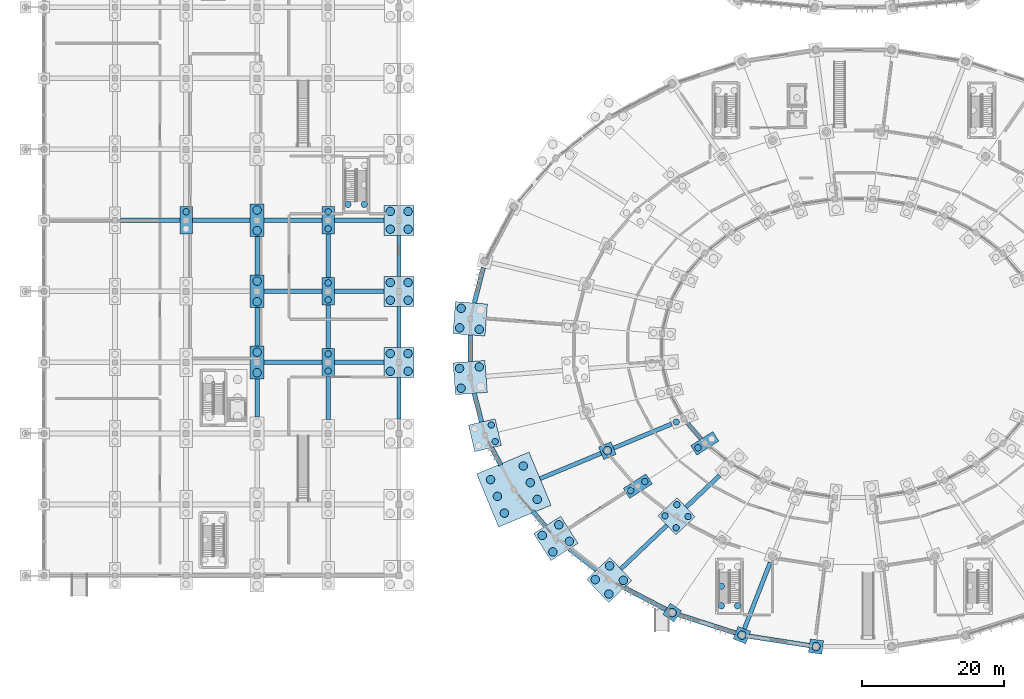
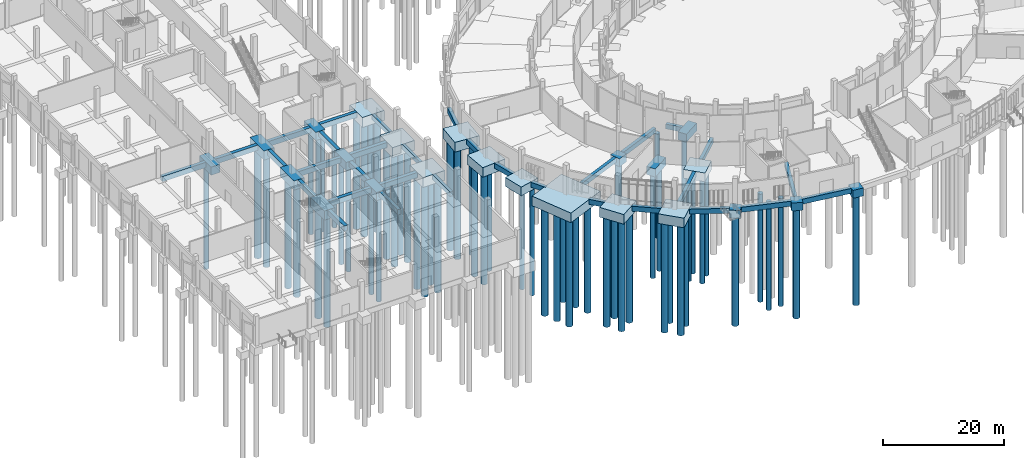
# One storey, part 2 of 140: 64 piles, 55 footings.
"""IFC4 building model written with IfcOpenShell, lengths in metres."""

from ifc_helpers import new_model, si_unit, direction, frame, origin, origin_2d, place, context, subcontext, project, spatial, rectangle, circle, extrude, material, layer, layer_set, material_profile, profile_set, type_object, element, save


model = new_model("IFC4")

# Units and contexts
model_context = context("Model", 3, precision=1e-05, world=origin(), true_north=direction((0.0, 1.0)))
body_context = subcontext(model_context, "Body", "Model", "MODEL_VIEW")
ifc_project = project(units=[si_unit("LENGTHUNIT", "METRE"), si_unit("AREAUNIT", "SQUARE_METRE"), si_unit("VOLUMEUNIT", "CUBIC_METRE"), si_unit("PLANEANGLEUNIT", "RADIAN"), si_unit("MASSUNIT", "GRAM", prefix="KILO")], contexts=[model_context])

# Site, building, storey
site_placement = place(None, origin())
site = spatial("IfcSite", under=ifc_project, at=site_placement, CompositionType="ELEMENT")
building_placement = place(site_placement, origin())
building = spatial("IfcBuilding", under=site, at=building_placement, Name="Corvandel Quay Wholesale Market", CompositionType="ELEMENT")
storey_placement = place(building_placement, origin())
storey = spatial("IfcBuildingStorey", under=building, at=storey_placement, Name="L00", CompositionType="ELEMENT", Elevation=0.0)

# Piles
ifc_material = material(Name="Concrete C40/50", Category="concrete")
ifc_material_profile_1 = material_profile(ifc_material, circle(Radius=0.60009765625, at=origin_2d()), Name="RC-PILE-D1200")
ifc_profile_set_1 = profile_set([ifc_material_profile_1], Name="Concrete C40/50")
pile_type_1 = type_object("IfcPileType", Name="Bored Pile D1200 L22.2", PredefinedType="BORED", material=ifc_profile_set_1)
for number, where, z_axis, x_axis, name in (
    (1, (61.27099609375, 44.656005859375, -1.860107421875), (0.0, 0.0, -1.0), (1.0, 0.0, 0.0), "Bored Pile PIL-0219"),
    (2, (58.51904296875, 44.865966796875, -1.860107421875), (0.0, 0.0, -1.0), (1.0, 0.0, 0.0), "Bored Pile PIL-0221"),
    (3, (58.72900390625, 47.617919921875, -1.860107421875), (0.0, 0.0, -1.0), (1.0, 0.0, 0.0), "Bored Pile PIL-0222"),
    (4, (61.2890625, 39.365966796875, -1.85009765625), (0.0, 0.0, -1.0), (1.0, 0.0, 0.0), "Bored Pile PIL-0228"),
    (5, (58.7109375, 36.360107421875, -1.85009765625), (0.0, 0.0, -1.0), (1.0, 0.0, 0.0), "Bored Pile PIL-0229"),
    (6, (58.4970703125, 39.152099609375, -1.85009765625), (0.0, 0.0, -1.0), (1.0, 0.0, 0.0), "Bored Pile PIL-0230"),
    (7, (69.43310546875, 20.7109375, -1.85009765625), (0.0, 0.0, -1.0), (1.0, 0.0, 0.0), "Bored Pile PIL-0244"),
    (8, (68.455078125, 23.06591796875, -1.85009765625), (0.0, 0.0, -1.0), (1.0, 0.0, 0.0), "Bored Pile PIL-0245"),
    (9, (67.47607421875, 25.419921875, -1.85009765625), (0.0, 0.0, -1.0), (1.0, 0.0, 0.0), "Bored Pile PIL-0246"),
    (10, (64.81591796875, 18.7919921875, -1.85009765625), (0.0, 0.0, -1.0), (1.0, 0.0, 0.0), "Bored Pile PIL-0247"),
    (11, (63.8369140625, 21.14599609375, -1.85009765625), (0.0, 0.0, -1.0), (1.0, 0.0, 0.0), "Bored Pile PIL-0248"),
    (12, (62.85888671875, 23.5009765625, -1.85009765625), (0.0, 0.0, -1.0), (1.0, 0.0, 0.0), "Bored Pile PIL-0249"),
    (13, (79.305908203125, 27.576904296875, -1.5), (0.0, 0.0, -1.0), (1.0, 0.0, 0.0), "Bored Pile PIL-0250"),
    (14, (73.9609375, 14.805908203125, -1.860107421875), (0.0, 0.0, -1.0), (1.0, 0.0, 0.0), "Bored Pile PIL-0253"),
    (15, (72.47607421875, 17.133056640625, -1.860107421875), (0.0, 0.0, -1.0), (1.0, 0.0, 0.0), "Bored Pile PIL-0254"),
    (16, (71.634033203125, 13.321044921875, -1.860107421875), (0.0, 0.0, -1.0), (1.0, 0.0, 0.0), "Bored Pile PIL-0255"),
    (17, (70.14892578125, 15.64794921875, -1.860107421875), (0.0, 0.0, -1.0), (1.0, 0.0, 0.0), "Bored Pile PIL-0256"),
    (18, (81.555908203125, 9.322998046875, -1.85009765625), (0.0, 0.0, -1.0), (1.0, 0.0, 0.0), "Bored Pile PIL-0261"),
    (19, (79.6298828125, 11.35498046875, -1.85009765625), (0.0, 0.0, -1.0), (1.0, 0.0, 0.0), "Bored Pile PIL-0262"),
    (20, (79.52392578125, 7.39697265625, -1.85009765625), (0.0, 0.0, -1.0), (1.0, 0.0, 0.0), "Bored Pile PIL-0263"),
    (21, (77.597900390625, 9.428955078125, -1.85009765625), (0.0, 0.0, -1.0), (1.0, 0.0, 0.0), "Bored Pile PIL-0264"),
    (22, (88.4208984375, 4.780029296875, -1.5), (0.0, 0.0, -1.0), (1.0, 0.0, 0.0), "Bored Pile PIL-0271"),
    (23, (98.2490234375, 1.614013671875, -1.5), (0.0, 0.0, -1.0), (1.0, 0.0, 0.0), "Bored Pile PIL-0275"),
    (24, (108.680908203125, 0.0, -1.5), (0.0, 0.0, -1.0), (1.0, 0.0, 0.0), "Bored Pile PIL-0279"),
    (25, (30.0, 38.550048828125, -1.75), (0.0, 0.0, -1.0), (1.0, 0.0, 0.0), "Bored Pile PIL-0644"),
    (26, (30.0, 41.449951171875, -1.75), (0.0, 0.0, -1.0), (1.0, 0.0, 0.0), "Bored Pile PIL-0645"),
    (27, (30.0, 48.550048828125, -1.75), (0.0, 0.0, -1.0), (1.0, 0.0, 0.0), "Bored Pile PIL-0646"),
    (28, (30.0, 51.449951171875, -1.75), (0.0, 0.0, -1.0), (1.0, 0.0, 0.0), "Bored Pile PIL-0647"),
    (29, (30.0, 58.550048828125, -1.75), (0.0, 0.0, -1.0), (1.0, 0.0, 0.0), "Bored Pile PIL-0648"),
    (30, (30.0, 61.449951171875, -1.75), (0.0, 0.0, -1.0), (1.0, 0.0, 0.0), "Bored Pile PIL-0649"),
):
    element("IfcPile", number, at=place(storey_placement, frame(where, z_axis=z_axis, x_axis=x_axis)), inside=storey, type_object=pile_type_1, Name=name, PredefinedType="BORED", context=body_context, shape_type="SweptSolid", body=[
        extrude(circle(Radius=0.60009765625, at=origin_2d()), origin(), (0.0, 0.0, 1.0), 22.199951171875),
    ])
ifc_material_profile_2 = material_profile(ifc_material, circle(Radius=0.60009765625, at=origin_2d()), Name="RC-PILE-D1200")
ifc_profile_set_2 = profile_set([ifc_material_profile_2], Name="Concrete C40/50")
pile_type_2 = type_object("IfcPileType", Name="Bored Pile D1200 L22.6", PredefinedType="BORED", material=ifc_profile_set_2)
for number, where, z_axis, x_axis, name in (
    (31, (48.75, 38.75, -1.89990234375), (0.0, 0.0, -1.0), (1.0, 0.0, 0.0), "Bored Pile PIL-0706"),
    (32, (51.25, 38.75, -1.89990234375), (0.0, 0.0, -1.0), (1.0, 0.0, 0.0), "Bored Pile PIL-0707"),
    (33, (48.75, 41.25, -1.89990234375), (0.0, 0.0, -1.0), (1.0, 0.0, 0.0), "Bored Pile PIL-0708"),
    (34, (51.25, 41.25, -1.89990234375), (0.0, 0.0, -1.0), (1.0, 0.0, 0.0), "Bored Pile PIL-0709"),
    (35, (48.75, 48.75, -1.89990234375), (0.0, 0.0, -1.0), (1.0, 0.0, 0.0), "Bored Pile PIL-0710"),
    (36, (51.25, 48.75, -1.89990234375), (0.0, 0.0, -1.0), (1.0, 0.0, 0.0), "Bored Pile PIL-0711"),
    (37, (48.75, 51.25, -1.89990234375), (0.0, 0.0, -1.0), (1.0, 0.0, 0.0), "Bored Pile PIL-0712"),
    (38, (51.25, 51.25, -1.89990234375), (0.0, 0.0, -1.0), (1.0, 0.0, 0.0), "Bored Pile PIL-0713"),
    (39, (48.75, 58.75, -1.89990234375), (0.0, 0.0, -1.0), (1.0, 0.0, 0.0), "Bored Pile PIL-0714"),
    (40, (51.25, 58.75, -1.89990234375), (0.0, 0.0, -1.0), (1.0, 0.0, 0.0), "Bored Pile PIL-0715"),
    (41, (48.75, 61.25, -1.89990234375), (0.0, 0.0, -1.0), (1.0, 0.0, 0.0), "Bored Pile PIL-0716"),
    (42, (51.25, 61.25, -1.89990234375), (0.0, 0.0, -1.0), (1.0, 0.0, 0.0), "Bored Pile PIL-0717"),
):
    element("IfcPile", number, at=place(storey_placement, frame(where, z_axis=z_axis, x_axis=x_axis)), inside=storey, type_object=pile_type_2, Name=name, PredefinedType="BORED", context=body_context, shape_type="SweptSolid", body=[
        extrude(circle(Radius=0.60009765625, at=origin_2d()), origin(), (0.0, 0.0, 1.0), 22.60009765625),
    ])
ifc_material_profile_3 = material_profile(ifc_material, circle(Radius=0.449951171875, at=origin_2d()), Name="RC-PILE-D900")
ifc_profile_set_3 = profile_set([ifc_material_profile_3], Name="Concrete C40/50")
pile_type_3 = type_object("IfcPileType", Name="Bored Pile D900 L21.0", PredefinedType="BORED", material=ifc_profile_set_3)
for number, where, z_axis, x_axis, name in (
    (43, (89.010986328125, 31.612060546875, -1.5), (0.0, 0.0, -1.0), (1.0, 0.0, 0.0), "Bored Pile PIL-0252"),
    (44, (84.5849609375, 23.22412109375, -1.52001953125), (0.0, 0.0, -1.0), (1.0, 0.0, 0.0), "Bored Pile PIL-0257"),
    (45, (82.594970703125, 21.9541015625, -1.52001953125), (0.0, 0.0, -1.0), (1.0, 0.0, 0.0), "Bored Pile PIL-0258"),
    (46, (92.05908203125, 27.993896484375, -1.5), (0.0, 0.0, -1.0), (1.0, 0.0, 0.0), "Bored Pile PIL-0260"),
    (47, (90.6689453125, 18.303955078125, -1.64990234375), (0.0, 0.0, -1.0), (1.0, 0.0, 0.0), "Bored Pile PIL-0265"),
    (48, (89.0869140625, 19.97412109375, -1.64990234375), (0.0, 0.0, -1.0), (1.0, 0.0, 0.0), "Bored Pile PIL-0266"),
    (49, (88.9990234375, 16.721923828125, -1.64990234375), (0.0, 0.0, -1.0), (1.0, 0.0, 0.0), "Bored Pile PIL-0267"),
    (50, (87.4169921875, 18.39208984375, -1.64990234375), (0.0, 0.0, -1.0), (1.0, 0.0, 0.0), "Bored Pile PIL-0268"),
    (51, (20.0, 61.199951171875, -1.550048828125), (0.0, 0.0, -1.0), (1.0, 0.0, 0.0), "Bored Pile PIL-0621"),
    (52, (40.0, 38.800048828125, -1.550048828125), (0.0, 0.0, -1.0), (1.0, 0.0, 0.0), "Bored Pile PIL-0672"),
    (53, (40.0, 41.199951171875, -1.550048828125), (0.0, 0.0, -1.0), (1.0, 0.0, 0.0), "Bored Pile PIL-0673"),
    (54, (40.0, 48.800048828125, -1.550048828125), (0.0, 0.0, -1.0), (1.0, 0.0, 0.0), "Bored Pile PIL-0674"),
    (55, (40.0, 51.199951171875, -1.550048828125), (0.0, 0.0, -1.0), (1.0, 0.0, 0.0), "Bored Pile PIL-0675"),
    (56, (40.0, 58.800048828125, -1.550048828125), (0.0, 0.0, -1.0), (1.0, 0.0, 0.0), "Bored Pile PIL-0676"),
    (57, (40.0, 61.199951171875, -1.550048828125), (0.0, 0.0, -1.0), (1.0, 0.0, 0.0), "Bored Pile PIL-0677"),
):
    element("IfcPile", number, at=place(storey_placement, frame(where, z_axis=z_axis, x_axis=x_axis)), inside=storey, type_object=pile_type_3, Name=name, PredefinedType="BORED", context=body_context, shape_type="SweptSolid", body=[
        extrude(circle(Radius=0.449951171875, at=origin_2d()), origin(), (0.0, 0.0, 1.0), 21.0),
    ])
ifc_material_profile_4 = material_profile(ifc_material, circle(Radius=0.449951171875, at=origin_2d()), Name="RC-PILE-D900")
ifc_profile_set_4 = profile_set([ifc_material_profile_4], Name="Concrete C40/50")
pile_type_4 = type_object("IfcPileType", Name="Bored Pile D900 L21.8", PredefinedType="BORED", material=ifc_profile_set_4)
for number, where, z_axis, x_axis, name in (
    (58, (95.35009765625, 5.75, -1.800048828125), (0.0, 0.0, -1.0), (1.0, 0.0, 0.0), "Bored Pile PIL-0047"),
    (59, (97.64990234375, 5.75, -1.800048828125), (0.0, 0.0, -1.0), (1.0, 0.0, 0.0), "Bored Pile PIL-0048"),
    (60, (95.35009765625, 8.5, -1.800048828125), (0.0, 0.0, -1.0), (1.0, 0.0, 0.0), "Bored Pile PIL-0049"),
    (61, (42.800048828125, 62.25, -1.800048828125), (0.0, 0.0, -1.0), (1.0, 0.0, 0.0), "Bored Pile PIL-0083"),
    (62, (45.10009765625, 62.25, -1.800048828125), (0.0, 0.0, -1.0), (1.0, 0.0, 0.0), "Bored Pile PIL-0084"),
    (63, (63.51904296875, 28.85693359375, -1.699951171875), (0.0, 0.0, -1.0), (1.0, 0.0, 0.0), "Bored Pile PIL-0237"),
    (64, (62.967041015625, 31.193115234375, -1.699951171875), (0.0, 0.0, -1.0), (1.0, 0.0, 0.0), "Bored Pile PIL-0238"),
):
    element("IfcPile", number, at=place(storey_placement, frame(where, z_axis=z_axis, x_axis=x_axis)), inside=storey, type_object=pile_type_4, Name=name, PredefinedType="BORED", context=body_context, shape_type="SweptSolid", body=[
        extrude(circle(Radius=0.449951171875, at=origin_2d()), origin(), (0.0, 0.0, 1.0), 21.800048828125),
    ])

# Footings
ifc_layer_1 = layer(ifc_material, 1.050048828125)
ifc_layer_set_1 = layer_set([ifc_layer_1], Name="Concrete C40/50")
footing_type_1 = type_object("IfcFootingType", Name="Cold Store Grade Beam GB04 650x1050", PredefinedType="FOOTING_BEAM", material=ifc_layer_set_1)
footing_1_placement = place(storey_placement, frame((35.06201171875, 40.0, -1.0498046875), z_axis=(0.0, 0.0, 1.0), x_axis=(1.0, 0.0, 0.0)))
element("IfcFooting", 65, at=footing_1_placement, inside=storey, type_object=footing_type_1, Name="Grade Beam FND-0505", PredefinedType="FOOTING_BEAM", context=body_context, shape_type="SweptSolid", body=[
    extrude(rectangle(XDim=8.125, YDim=0.64990234375, at=origin_2d()), origin(), (0.0, 0.0, 1.0), 1.050048828125),
])
footing_2_placement = place(storey_placement, frame((44.387939453125, 40.0, -1.0498046875), z_axis=(0.0, 0.0, 1.0), x_axis=(1.0, 0.0, 0.0)))
element("IfcFooting", 66, at=footing_2_placement, inside=storey, type_object=footing_type_1, Name="Grade Beam FND-0506", PredefinedType="FOOTING_BEAM", context=body_context, shape_type="SweptSolid", body=[
    extrude(rectangle(XDim=7.02490234375, YDim=0.64990234375, at=origin_2d()), origin(), (0.0, 0.0, 1.0), 1.050048828125),
])
footing_3_placement = place(storey_placement, frame((35.06201171875, 50.0, -1.0498046875), z_axis=(0.0, 0.0, 1.0), x_axis=(1.0, 0.0, 0.0)))
element("IfcFooting", 67, at=footing_3_placement, inside=storey, type_object=footing_type_1, Name="Grade Beam FND-0510", PredefinedType="FOOTING_BEAM", context=body_context, shape_type="SweptSolid", body=[
    extrude(rectangle(XDim=8.125, YDim=0.64990234375, at=origin_2d()), origin(), (0.0, 0.0, 1.0), 1.050048828125),
])
footing_4_placement = place(storey_placement, frame((44.387939453125, 50.0, -1.0498046875), z_axis=(0.0, 0.0, 1.0), x_axis=(1.0, 0.0, 0.0)))
element("IfcFooting", 68, at=footing_4_placement, inside=storey, type_object=footing_type_1, Name="Grade Beam FND-0511", PredefinedType="FOOTING_BEAM", context=body_context, shape_type="SweptSolid", body=[
    extrude(rectangle(XDim=7.02490234375, YDim=0.64990234375, at=origin_2d()), origin(), (0.0, 0.0, 1.0), 1.050048828125),
])
footing_5_placement = place(storey_placement, frame((14.962890625, 60.0, -1.0498046875), z_axis=(0.0, 0.0, 1.0), x_axis=(1.0, 0.0, 0.0)))
element("IfcFooting", 69, at=footing_5_placement, inside=storey, type_object=footing_type_1, Name="Grade Beam FND-0513", PredefinedType="FOOTING_BEAM", context=body_context, shape_type="SweptSolid", body=[
    extrude(rectangle(XDim=8.324951171875, YDim=0.64990234375, at=origin_2d()), origin(), (0.0, 0.0, 1.0), 1.050048828125),
])
for number, where, z_axis, x_axis, name in (
    (70, (24.93798828125, 60.0, -1.0498046875), (0.0, 0.0, 1.0), (1.0, 0.0, 0.0), "Grade Beam FND-0514"),
    (71, (35.06201171875, 60.0, -1.0498046875), (0.0, 0.0, 1.0), (1.0, 0.0, 0.0), "Grade Beam FND-0515"),
):
    element("IfcFooting", number, at=place(storey_placement, frame(where, z_axis=z_axis, x_axis=x_axis)), inside=storey, type_object=footing_type_1, Name=name, PredefinedType="FOOTING_BEAM", context=body_context, shape_type="SweptSolid", body=[
        extrude(rectangle(XDim=8.125, YDim=0.64990234375, at=origin_2d()), origin(), (0.0, 0.0, 1.0), 1.050048828125),
    ])
footing_6_placement = place(storey_placement, frame((44.387939453125, 60.0, -1.0498046875), z_axis=(0.0, 0.0, 1.0), x_axis=(1.0, 0.0, 0.0)))
element("IfcFooting", 72, at=footing_6_placement, inside=storey, type_object=footing_type_1, Name="Grade Beam FND-0516", PredefinedType="FOOTING_BEAM", context=body_context, shape_type="SweptSolid", body=[
    extrude(rectangle(XDim=7.02490234375, YDim=0.64990234375, at=origin_2d()), origin(), (0.0, 0.0, 1.0), 1.050048828125),
])
for number, where, z_axis, x_axis, name in (
    (73, (30.0, 35.0, -1.0498046875), (0.0, 0.0, 1.0), (0.0, 1.0, 0.0), "Grade Beam FND-0586"),
    (74, (30.0, 45.0, -1.0498046875), (0.0, 0.0, 1.0), (0.0, 1.0, 0.0), "Grade Beam FND-0587"),
    (75, (30.0, 55.0, -1.0498046875), (0.0, 0.0, 1.0), (0.0, 1.0, 0.0), "Grade Beam FND-0588"),
):
    element("IfcFooting", number, at=place(storey_placement, frame(where, z_axis=z_axis, x_axis=x_axis)), inside=storey, type_object=footing_type_1, Name=name, PredefinedType="FOOTING_BEAM", context=body_context, shape_type="SweptSolid", body=[
        extrude(rectangle(XDim=5.39990234375, YDim=0.64990234375, at=origin_2d()), origin(), (0.0, 0.0, 1.0), 1.050048828125),
    ])
for number, where, z_axis, x_axis, name in (
    (76, (40.0, 35.0, -1.0498046875), (0.0, 0.0, 1.0), (0.0, 1.0, 0.0), "Grade Beam FND-0599"),
    (77, (40.0, 45.0, -1.0498046875), (0.0, 0.0, 1.0), (0.0, 1.0, 0.0), "Grade Beam FND-0600"),
    (78, (40.0, 55.0, -1.0498046875), (0.0, 0.0, 1.0), (0.0, 1.0, 0.0), "Grade Beam FND-0601"),
):
    element("IfcFooting", number, at=place(storey_placement, frame(where, z_axis=z_axis, x_axis=x_axis)), inside=storey, type_object=footing_type_1, Name=name, PredefinedType="FOOTING_BEAM", context=body_context, shape_type="SweptSolid", body=[
        extrude(rectangle(XDim=6.10009765625, YDim=0.64990234375, at=origin_2d()), origin(), (0.0, 0.0, 1.0), 1.050048828125),
    ])
ifc_layer_2 = layer(ifc_material, 1.949951171875)
ifc_layer_set_2 = layer_set([ifc_layer_2], Name="Concrete C40/50")
footing_type_2 = type_object("IfcFootingType", Name="Core Mat Cap PC18 8100x8000x1950", PredefinedType="PILE_CAP", material=ifc_layer_set_2)
footing_7_placement = place(storey_placement, frame((66.14599609375, 22.10595703125, -1.9501953125), z_axis=(0.0, 0.0, 1.0), x_axis=(-0.383811878264, 0.923411307113, 0.0)))
element("IfcFooting", 79, at=footing_7_placement, inside=storey, type_object=footing_type_2, Name="Pile Cap FND-0077", PredefinedType="PILE_CAP", context=body_context, shape_type="SweptSolid", body=[
    extrude(rectangle(XDim=8.10009765625, YDim=8.0, at=origin_2d()), origin(), (0.0, 0.0, 1.0), 1.949951171875),
])
ifc_layer_3 = layer(ifc_material, 0.89990234375)
ifc_layer_set_3 = layer_set([ifc_layer_3], Name="Concrete C40/50")
footing_type_3 = type_object("IfcFootingType", Name="Perimeter Grade Beam GB03 550x900", PredefinedType="FOOTING_BEAM", material=ifc_layer_set_3)
footing_8_placement = place(storey_placement, frame((50.0, 34.97509765625, -0.89990234375), z_axis=(0.0, 0.0, 1.0), x_axis=(0.0, 1.0, 0.0)))
element("IfcFooting", 80, at=footing_8_placement, inside=storey, type_object=footing_type_3, Name="Grade Beam FND-0612", PredefinedType="FOOTING_BEAM", context=body_context, shape_type="SweptSolid", body=[
    extrude(rectangle(XDim=5.85009765625, YDim=0.550048828125, at=origin_2d()), origin(), (0.0, 0.0, 1.0), 0.89990234375),
])
for number, where, z_axis, x_axis, name in (
    (81, (50.0, 45.0, -0.89990234375), (0.0, 0.0, 1.0), (0.0, 1.0, 0.0), "Grade Beam FND-0613"),
    (82, (50.0, 55.0, -0.89990234375), (0.0, 0.0, 1.0), (0.0, 1.0, 0.0), "Grade Beam FND-0614"),
):
    element("IfcFooting", number, at=place(storey_placement, frame(where, z_axis=z_axis, x_axis=x_axis)), inside=storey, type_object=footing_type_3, Name=name, PredefinedType="FOOTING_BEAM", context=body_context, shape_type="SweptSolid", body=[
        extrude(rectangle(XDim=5.800048828125, YDim=0.550048828125, at=origin_2d()), origin(), (0.0, 0.0, 1.0), 0.89990234375),
    ])
ifc_layer_4 = layer(ifc_material, 1.60009765625)
ifc_layer_set_4 = layer_set([ifc_layer_4], Name="Concrete C40/50")
footing_type_4 = type_object("IfcFootingType", Name="Pile Cap PC01 1600x3700x1600", PredefinedType="PILE_CAP", material=ifc_layer_set_4)
footing_9_placement = place(storey_placement, frame((93.028076171875, 28.613037109375, -1.60009765625), z_axis=(0.0, 0.0, 1.0), x_axis=(-0.538035401546, 0.842922242371, 0.0)))
element("IfcFooting", 83, at=footing_9_placement, inside=storey, type_object=footing_type_4, Name="Pile Cap FND-0082", PredefinedType="PILE_CAP", context=body_context, shape_type="SweptSolid", body=[
    extrude(rectangle(XDim=1.60009765625, YDim=3.699951171875, at=origin_2d()), origin(), (0.0, 0.0, 1.0), 1.60009765625),
])
ifc_layer_5 = layer(ifc_material, 1.64990234375)
ifc_layer_set_5 = layer_set([ifc_layer_5], Name="Concrete C40/50")
footing_type_5 = type_object("IfcFootingType", Name="Pile Cap PC03 1750x3900x1650", PredefinedType="PILE_CAP", material=ifc_layer_set_5)
for number, where, z_axis, x_axis, name in (
    (84, (20.0, 60.0, -1.64990234375), (0.0, 0.0, 1.0), (1.0, 0.0, 0.0), "Pile Cap FND-0436"),
    (85, (40.0, 40.0, -1.64990234375), (0.0, 0.0, 1.0), (1.0, 0.0, 0.0), "Pile Cap FND-0462"),
    (86, (40.0, 50.0, -1.64990234375), (0.0, 0.0, 1.0), (1.0, 0.0, 0.0), "Pile Cap FND-0463"),
    (87, (40.0, 60.0, -1.64990234375), (0.0, 0.0, 1.0), (1.0, 0.0, 0.0), "Pile Cap FND-0464"),
):
    element("IfcFooting", number, at=place(storey_placement, frame(where, z_axis=z_axis, x_axis=x_axis)), inside=storey, type_object=footing_type_5, Name=name, PredefinedType="PILE_CAP", context=body_context, shape_type="SweptSolid", body=[
        extrude(rectangle(XDim=1.75, YDim=3.89990234375, at=origin_2d()), origin(), (0.0, 0.0, 1.0), 1.64990234375),
    ])
ifc_layer_6 = layer(ifc_material, 1.75)
ifc_layer_set_6 = layer_set([ifc_layer_6], Name="Concrete C40/50")
footing_type_6 = type_object("IfcFootingType", Name="Pile Cap PC05 3700x3700x1750", PredefinedType="PILE_CAP", material=ifc_layer_set_6)
footing_10_placement = place(storey_placement, frame((89.04296875, 18.347900390625, -1.75), z_axis=(0.0, 0.0, 1.0), x_axis=(-0.687848001144, 0.725854756355, 0.0)))
element("IfcFooting", 88, at=footing_10_placement, inside=storey, type_object=footing_type_6, Name="Pile Cap FND-0084", PredefinedType="PILE_CAP", context=body_context, shape_type="SweptSolid", body=[
    extrude(rectangle(XDim=3.699951171875, YDim=3.699951171875, at=origin_2d()), origin(), (0.0, 0.0, 1.0), 1.75),
])
ifc_layer_7 = layer(ifc_material, 1.800048828125)
ifc_layer_set_7 = layer_set([ifc_layer_7], Name="Concrete C40/50")
footing_type_7 = type_object("IfcFootingType", Name="Pile Cap PC06 3850x3850x1800", PredefinedType="PILE_CAP", material=ifc_layer_set_7)
footing_11_placement = place(storey_placement, frame((62.074951171875, 29.7490234375, -1.7998046875), z_axis=(0.0, 0.0, 1.0), x_axis=(-0.229710019669, 0.973259115993, 0.0)))
element("IfcFooting", 89, at=footing_11_placement, inside=storey, type_object=footing_type_7, Name="Pile Cap FND-0074", PredefinedType="PILE_CAP", context=body_context, shape_type="SweptSolid", body=[
    extrude(rectangle(XDim=3.85009765625, YDim=3.85009765625, at=origin_2d()), origin(), (0.0, 0.0, 1.0), 1.800048828125),
])
ifc_layer_8 = layer(ifc_material, 1.85009765625)
ifc_layer_set_8 = layer_set([ifc_layer_8], Name="Concrete C40/50")
footing_type_8 = type_object("IfcFootingType", Name="Pile Cap PC09 2000x4600x1850", PredefinedType="PILE_CAP", material=ifc_layer_set_8)
for number, where, z_axis, x_axis, name in (
    (90, (30.0, 40.0, -1.85009765625), (0.0, 0.0, 1.0), (1.0, 0.0, 0.0), "Pile Cap FND-0448"),
    (91, (30.0, 50.0, -1.85009765625), (0.0, 0.0, 1.0), (1.0, 0.0, 0.0), "Pile Cap FND-0449"),
    (92, (30.0, 60.0, -1.85009765625), (0.0, 0.0, 1.0), (1.0, 0.0, 0.0), "Pile Cap FND-0450"),
):
    element("IfcFooting", number, at=place(storey_placement, frame(where, z_axis=z_axis, x_axis=x_axis)), inside=storey, type_object=footing_type_8, Name=name, PredefinedType="PILE_CAP", context=body_context, shape_type="SweptSolid", body=[
        extrude(rectangle(XDim=2.0, YDim=4.60009765625, at=origin_2d()), origin(), (0.0, 0.0, 1.0), 1.85009765625),
    ])
ifc_layer_9 = layer(ifc_material, 1.949951171875)
ifc_layer_set_9 = layer_set([ifc_layer_9], Name="Concrete C40/50")
footing_type_9 = type_object("IfcFootingType", Name="Pile Cap PC11 4500x4500x1950", PredefinedType="PILE_CAP", material=ifc_layer_set_9)
for number, where, z_axis, x_axis, name in (
    (93, (60.0, 37.863037109375, -1.9501953125), (0.0, 0.0, 1.0), (-0.076370986393, 0.997079471475, 0.0), "Pile Cap FND-0071"),
    (94, (79.576904296875, 9.3759765625, -1.9501953125), (0.0, 0.0, 1.0), (-0.687848001144, 0.725854756355, 0.0), "Pile Cap FND-0083"),
):
    element("IfcFooting", number, at=place(storey_placement, frame(where, z_axis=z_axis, x_axis=x_axis)), inside=storey, type_object=footing_type_9, Name=name, PredefinedType="PILE_CAP", context=body_context, shape_type="SweptSolid", body=[
        extrude(rectangle(XDim=4.5, YDim=4.5, at=origin_2d()), origin(), (0.0, 0.0, 1.0), 1.949951171875),
    ])
ifc_layer_10 = layer(ifc_material, 2.0)
ifc_layer_set_10 = layer_set([ifc_layer_10], Name="Concrete C40/50")
footing_type_10 = type_object("IfcFootingType", Name="Pile Cap PC12 4200x4200x2000", PredefinedType="PILE_CAP", material=ifc_layer_set_10)
for number, where, z_axis, x_axis, name in (
    (95, (50.0, 40.0, -2.0), (0.0, 0.0, 1.0), (1.0, 0.0, 0.0), "Pile Cap FND-0476"),
    (96, (50.0, 50.0, -2.0), (0.0, 0.0, 1.0), (1.0, 0.0, 0.0), "Pile Cap FND-0477"),
    (97, (50.0, 60.0, -2.0), (0.0, 0.0, 1.0), (1.0, 0.0, 0.0), "Pile Cap FND-0478"),
):
    element("IfcFooting", number, at=place(storey_placement, frame(where, z_axis=z_axis, x_axis=x_axis)), inside=storey, type_object=footing_type_10, Name=name, PredefinedType="PILE_CAP", context=body_context, shape_type="SweptSolid", body=[
        extrude(rectangle(XDim=4.199951171875, YDim=4.199951171875, at=origin_2d()), origin(), (0.0, 0.0, 1.0), 2.0),
    ])
ifc_layer_11 = layer(ifc_material, 1.60009765625)
ifc_layer_set_11 = layer_set([ifc_layer_11], Name="Concrete C40/50")
footing_type_11 = type_object("IfcFootingType", Name="Pile Cap PC16 1900x1900x1600", PredefinedType="PILE_CAP", material=ifc_layer_set_11)
for number, where, z_axis, x_axis, name in (
    (98, (79.305908203125, 27.576904296875, -1.60009765625), (0.0, 0.0, 1.0), (-0.383811878264, 0.923411307113, 0.0), "Pile Cap FND-0078"),
    (99, (88.4208984375, 4.780029296875, -1.60009765625), (0.0, 0.0, 1.0), (-0.824126188622, 0.566406236925, 0.0), "Pile Cap FND-0086"),
    (100, (98.2490234375, 1.614013671875, -1.60009765625), (0.0, 0.0, 1.0), (-0.931627814096, 0.363413835735, 0.0), "Pile Cap FND-0089"),
    (101, (108.680908203125, 0.0, -1.60009765625), (0.0, 0.0, 1.0), (-0.992070891321, 0.125679539283, 0.0), "Pile Cap FND-0092"),
):
    element("IfcFooting", number, at=place(storey_placement, frame(where, z_axis=z_axis, x_axis=x_axis)), inside=storey, type_object=footing_type_11, Name=name, PredefinedType="PILE_CAP", context=body_context, shape_type="SweptSolid", body=[
        extrude(rectangle(XDim=1.89990234375, YDim=1.89990234375, at=origin_2d()), origin(), (0.0, 0.0, 1.0), 1.60009765625),
    ])
ifc_layer_12 = layer(ifc_material, 1.6201171875)
ifc_layer_set_12 = layer_set([ifc_layer_12], Name="Concrete C40/50")
footing_type_12 = type_object("IfcFootingType", Name="Pile Cap PC21 1680x3800x1620", PredefinedType="PILE_CAP", material=ifc_layer_set_12)
footing_12_placement = place(storey_placement, frame((83.590087890625, 22.589111328125, -1.6201171875), z_axis=(0.0, 0.0, 1.0), x_axis=(-0.538035401546, 0.842922242371, 0.0)))
element("IfcFooting", 102, at=footing_12_placement, inside=storey, type_object=footing_type_12, Name="Pile Cap FND-0081", PredefinedType="PILE_CAP", context=body_context, shape_type="SweptSolid", body=[
    extrude(rectangle(XDim=1.679931640625, YDim=3.800048828125, at=origin_2d()), origin(), (0.0, 0.0, 1.0), 1.6201171875),
])
ifc_layer_13 = layer(ifc_material, 1.9599609375)
ifc_layer_set_13 = layer_set([ifc_layer_13], Name="Concrete C40/50")
footing_type_13 = type_object("IfcFootingType", Name="Pile Cap PC23 4520x4520x1960", PredefinedType="PILE_CAP", material=ifc_layer_set_13)
for number, where, z_axis, x_axis, name in (
    (103, (60.0, 46.136962890625, -1.9599609375), (0.0, 0.0, 1.0), (0.076370986393, 0.997079471475, 0.0), "Pile Cap FND-0068"),
    (104, (72.054931640625, 15.22705078125, -1.9599609375), (0.0, 0.0, 1.0), (-0.538035401546, 0.842922242371, 0.0), "Pile Cap FND-0080"),
):
    element("IfcFooting", number, at=place(storey_placement, frame(where, z_axis=z_axis, x_axis=x_axis)), inside=storey, type_object=footing_type_13, Name=name, PredefinedType="PILE_CAP", context=body_context, shape_type="SweptSolid", body=[
        extrude(rectangle(XDim=4.52001953125, YDim=4.52001953125, at=origin_2d()), origin(), (0.0, 0.0, 1.0), 1.9599609375),
    ])
ifc_layer_14 = layer(ifc_material, 0.949951171875)
ifc_layer_set_14 = layer_set([ifc_layer_14], Name="Concrete C40/50")
footing_type_14 = type_object("IfcFootingType", Name="Seismic Tie Beam GB01 600x950", PredefinedType="FOOTING_BEAM", material=ifc_layer_set_14)
footing_13_placement = place(storey_placement, frame((91.56103515625, 30.320068359375, -0.9501953125), z_axis=(0.0, 0.0, 1.0), x_axis=(-0.651568967347, 0.758589401976, 0.0)))
element("IfcFooting", 105, at=footing_13_placement, inside=storey, type_object=footing_type_14, Name="Grade Beam FND-0174", PredefinedType="FOOTING_BEAM", context=body_context, shape_type="SweptSolid", body=[
    extrude(rectangle(XDim=2.885009765625, YDim=0.60009765625, at=origin_2d()), origin(), (0.0, 0.0, 1.0), 0.949951171875),
])
footing_14_placement = place(storey_placement, frame((74.134033203125, 25.427001953125, -0.9501953125), z_axis=(0.0, 0.0, 1.0), x_axis=(0.923411307113, 0.383811878264, 0.0)))
element("IfcFooting", 106, at=footing_14_placement, inside=storey, type_object=footing_type_14, Name="Grade Beam FND-0175", PredefinedType="FOOTING_BEAM", context=body_context, shape_type="SweptSolid", body=[
    extrude(rectangle(XDim=9.302001953125, YDim=0.60009765625, at=origin_2d()), origin(), (0.0, 0.0, 1.0), 0.949951171875),
])
footing_15_placement = place(storey_placement, frame((84.27392578125, 29.64208984375, -0.9501953125), z_axis=(0.0, 0.0, 1.0), x_axis=(0.923411307113, 0.383811878264, 0.0)))
element("IfcFooting", 107, at=footing_15_placement, inside=storey, type_object=footing_type_14, Name="Grade Beam FND-0176", PredefinedType="FOOTING_BEAM", context=body_context, shape_type="SweptSolid", body=[
    extrude(rectangle(XDim=8.860107421875, YDim=0.60009765625, at=origin_2d()), origin(), (0.0, 0.0, 1.0), 0.949951171875),
])
footing_16_placement = place(storey_placement, frame((84.455078125, 14.0, -0.9501953125), z_axis=(0.0, 0.0, 1.0), x_axis=(0.725734693176, 0.68797467622, 0.0)))
element("IfcFooting", 108, at=footing_16_placement, inside=storey, type_object=footing_type_14, Name="Grade Beam FND-0181", PredefinedType="FOOTING_BEAM", context=body_context, shape_type="SweptSolid", body=[
    extrude(rectangle(XDim=8.94189453125, YDim=0.60009765625, at=origin_2d()), origin(), (0.0, 0.0, 1.0), 0.949951171875),
])
footing_17_placement = place(storey_placement, frame((92.7529296875, 21.863037109375, -0.9501953125), z_axis=(0.0, 0.0, 1.0), x_axis=(0.725854756355, 0.687848001144, 0.0)))
element("IfcFooting", 109, at=footing_17_placement, inside=storey, type_object=footing_type_14, Name="Grade Beam FND-0182", PredefinedType="FOOTING_BEAM", context=body_context, shape_type="SweptSolid", body=[
    extrude(rectangle(XDim=6.52099609375, YDim=0.60009765625, at=origin_2d()), origin(), (0.0, 0.0, 1.0), 0.949951171875),
])
footing_18_placement = place(storey_placement, frame((100.4150390625, 7.1669921875, -0.9501953125), z_axis=(0.0, 0.0, 1.0), x_axis=(0.363251230473, 0.931691227586, 0.0)))
element("IfcFooting", 110, at=footing_18_placement, inside=storey, type_object=footing_type_14, Name="Grade Beam FND-0187", PredefinedType="FOOTING_BEAM", context=body_context, shape_type="SweptSolid", body=[
    extrude(rectangle(XDim=10.02099609375, YDim=0.60009765625, at=origin_2d()), origin(), (0.0, 0.0, 1.0), 0.949951171875),
])
ifc_layer_15 = layer(ifc_material, 1.0)
ifc_layer_set_15 = layer_set([ifc_layer_15], Name="Concrete C40/50")
footing_type_15 = type_object("IfcFootingType", Name="Seismic Tie Beam GB02 650x1000", PredefinedType="FOOTING_BEAM", material=ifc_layer_set_15)
footing_19_placement = place(storey_placement, frame((61.2041015625, 50.844970703125, -1.0), z_axis=(0.0, 0.0, 1.0), x_axis=(0.247844544316, 0.968799815159, 0.0)))
element("IfcFooting", 111, at=footing_19_placement, inside=storey, type_object=footing_type_15, Name="Grade Beam FND-0161", PredefinedType="FOOTING_BEAM", context=body_context, shape_type="SweptSolid", body=[
    extrude(rectangle(XDim=5.1298828125, YDim=0.64990234375, at=origin_2d()), origin(), (0.0, 0.0, 1.0), 1.0),
])
footing_20_placement = place(storey_placement, frame((60.0, 41.9951171875, -1.0), z_axis=(0.0, 0.0, 1.0), x_axis=(0.0, 1.0, 0.0)))
element("IfcFooting", 112, at=footing_20_placement, inside=storey, type_object=footing_type_15, Name="Grade Beam FND-0165", PredefinedType="FOOTING_BEAM", context=body_context, shape_type="SweptSolid", body=[
    extrude(rectangle(XDim=3.7509765625, YDim=0.64990234375, at=origin_2d()), origin(), (0.0, 0.0, 1.0), 1.0),
])
footing_21_placement = place(storey_placement, frame((61.08203125, 33.632080078125, -1.0), z_axis=(0.0, 0.0, 1.0), x_axis=(-0.247675453076, 0.968843057437, 0.0)))
element("IfcFooting", 113, at=footing_21_placement, inside=storey, type_object=footing_type_15, Name="Grade Beam FND-0167", PredefinedType="FOOTING_BEAM", context=body_context, shape_type="SweptSolid", body=[
    extrude(rectangle(XDim=4.1650390625, YDim=0.64990234375, at=origin_2d()), origin(), (0.0, 0.0, 1.0), 1.0),
])
footing_22_placement = place(storey_placement, frame((63.662109375, 26.76904296875, -1.0), z_axis=(0.0, 0.0, 1.0), x_axis=(-0.470087862033, 0.882619624736, 0.0)))
element("IfcFooting", 114, at=footing_22_placement, inside=storey, type_object=footing_type_15, Name="Grade Beam FND-0171", PredefinedType="FOOTING_BEAM", context=body_context, shape_type="SweptSolid", body=[
    extrude(rectangle(XDim=2.77197265625, YDim=0.64990234375, at=origin_2d()), origin(), (0.0, 0.0, 1.0), 1.0),
])
footing_23_placement = place(storey_placement, frame((69.68603515625, 17.985107421875, -1.0), z_axis=(0.0, 0.0, 1.0), x_axis=(-0.651568967347, 0.758589401976, 0.0)))
element("IfcFooting", 115, at=footing_23_placement, inside=storey, type_object=footing_type_15, Name="Grade Beam FND-0173", PredefinedType="FOOTING_BEAM", context=body_context, shape_type="SweptSolid", body=[
    extrude(rectangle(XDim=2.705078125, YDim=0.64990234375, at=origin_2d()), origin(), (0.0, 0.0, 1.0), 1.0),
])
footing_24_placement = place(storey_placement, frame((75.864013671875, 12.263916015625, -1.0), z_axis=(0.0, 0.0, 1.0), x_axis=(-0.789298462742, 0.614009720373, 0.0)))
element("IfcFooting", 116, at=footing_24_placement, inside=storey, type_object=footing_type_15, Name="Grade Beam FND-0177", PredefinedType="FOOTING_BEAM", context=body_context, shape_type="SweptSolid", body=[
    extrude(rectangle(XDim=4.85498046875, YDim=0.64990234375, at=origin_2d()), origin(), (0.0, 0.0, 1.0), 1.0),
])
footing_25_placement = place(storey_placement, frame((84.631103515625, 6.75, -1.0), z_axis=(0.0, 0.0, 1.0), x_axis=(-0.887332978338, 0.461129250378, 0.0)))
element("IfcFooting", 117, at=footing_25_placement, inside=storey, type_object=footing_type_15, Name="Grade Beam FND-0179", PredefinedType="FOOTING_BEAM", context=body_context, shape_type="SweptSolid", body=[
    extrude(rectangle(XDim=6.62890625, YDim=0.64990234375, at=origin_2d()), origin(), (0.0, 0.0, 1.0), 1.0),
])
footing_26_placement = place(storey_placement, frame((93.35400390625, 3.19091796875, -1.0), z_axis=(0.0, 0.0, 1.0), x_axis=(-0.951808747363, 0.306692204733, 0.0)))
element("IfcFooting", 118, at=footing_26_placement, inside=storey, type_object=footing_type_15, Name="Grade Beam FND-0183", PredefinedType="FOOTING_BEAM", context=body_context, shape_type="SweptSolid", body=[
    extrude(rectangle(XDim=8.382080078125, YDim=0.64990234375, at=origin_2d()), origin(), (0.0, 0.0, 1.0), 1.0),
])
footing_27_placement = place(storey_placement, frame((103.47607421875, 0.804931640625, -1.0), z_axis=(0.0, 0.0, 1.0), x_axis=(-0.98825506746, 0.152813355565, 0.0)))
element("IfcFooting", 119, at=footing_27_placement, inside=storey, type_object=footing_type_15, Name="Grade Beam FND-0185", PredefinedType="FOOTING_BEAM", context=body_context, shape_type="SweptSolid", body=[
    extrude(rectangle(XDim=8.633056640625, YDim=0.64990234375, at=origin_2d()), origin(), (0.0, 0.0, 1.0), 1.0),
])

save(model, "model.ifc")
